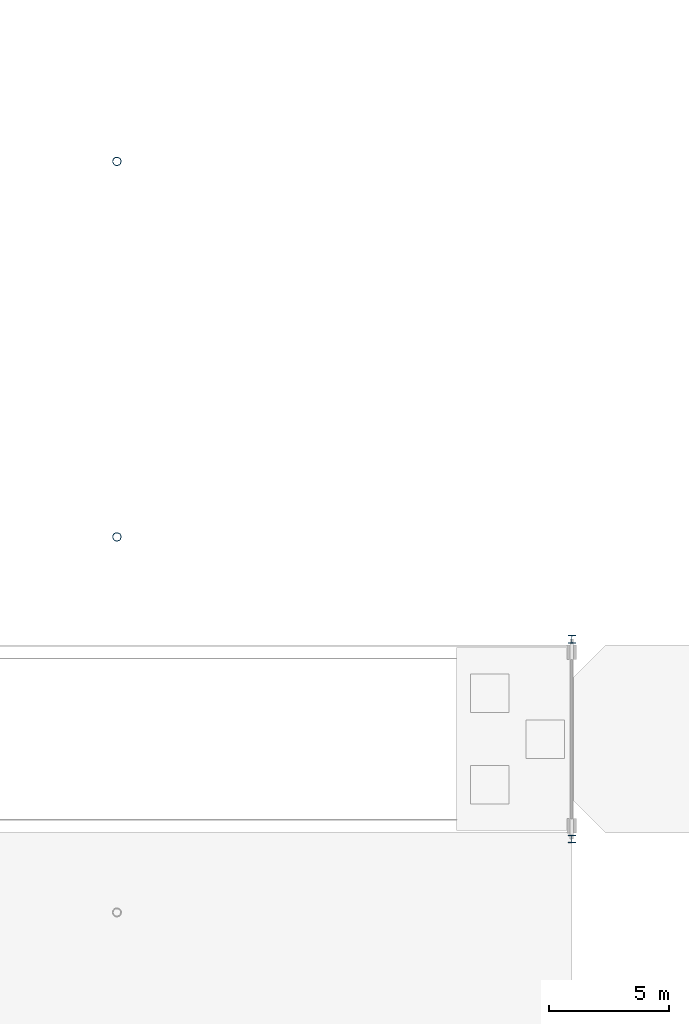
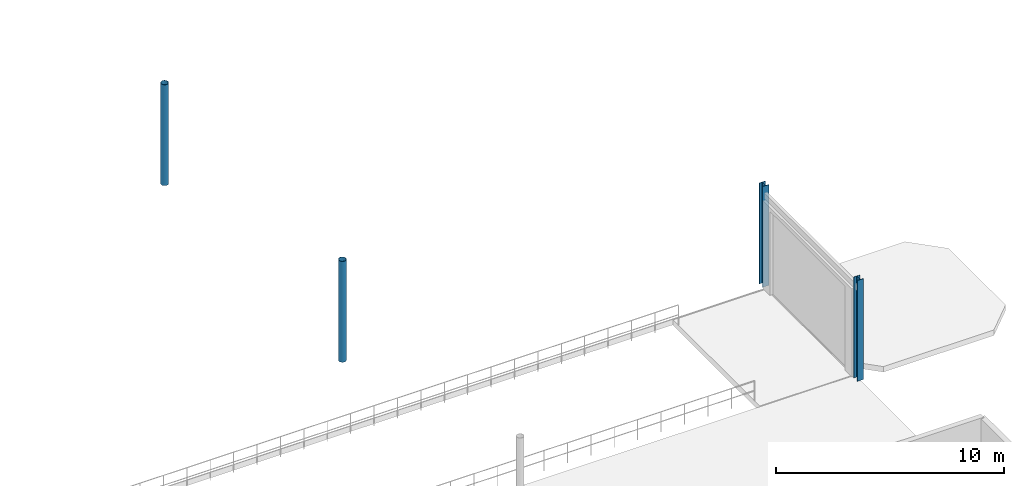
# One storey, part 11 of 87: 4 columns.
"""IFC4 building model written with IfcOpenShell, lengths in metres."""

import ifcopenshell
import ifcopenshell.guid

model = None  # the IFC model being written
_history = None  # IfcOwnerHistory: only IFC2X3 demands one
_inside = {}  # id of a spatial element -> (the spatial element, [elements in it])
_under = {}  # id of a project, library or spatial element -> (it, [spatial elements below it])
_declared = {}  # id of a project -> (the project, [libraries it declares])
_typed = {}  # id of a type object -> (the type object, [elements of that type])
_made_of = {}  # id of a material, layer set ... -> (it, [elements and type objects made of it])


def new_model(schema):
    """Start an empty IFC model of exactly this schema.

    Asked for "IFC4X3", IfcOpenShell would pick the latest addendum, in which some entities
    have other attributes; the version numbers below select the first issue.
    IFC2X3 requires an IfcOwnerHistory on every rooted entity: one is made here for all.
    """
    global model, _history
    if schema == "IFC4X3":
        model = ifcopenshell.file(schema_version=(4, 3, 0, 0))
    else:
        model = ifcopenshell.file(schema=schema)
    _inside.clear()
    _under.clear()
    _declared.clear()
    _typed.clear()
    _made_of.clear()
    _history = None
    if model.schema == "IFC2X3":
        org = make("IfcOrganization", Name="unknown")
        user = make(
            "IfcPersonAndOrganization",
            ThePerson=make("IfcPerson", FamilyName="unknown"),
            TheOrganization=org,
        )
        app = make(
            "IfcApplication",
            ApplicationDeveloper=org,
            Version="unknown",
            ApplicationFullName="unknown",
            ApplicationIdentifier="unknown",
        )
        _history = make(
            "IfcOwnerHistory",
            OwningUser=user,
            OwningApplication=app,
            ChangeAction="ADDED",
            CreationDate=0,
        )
    return model


def make(cls, **values):
    """One entity of the class cls with the attributes given. An attribute that is None is left unset."""
    return model.create_entity(
        cls, **{name: value for name, value in values.items() if value is not None}
    )


def rooted(cls, **values):
    """An entity with a GlobalId (a new one), such as an element, a storey or a relation."""
    return make(cls, GlobalId=ifcopenshell.guid.new(), OwnerHistory=_history, **values)


def si_unit(unit_type, name, prefix=None):
    """IfcSIUnit, for example si_unit("LENGTHUNIT", "METRE", prefix="MILLI")."""
    return make("IfcSIUnit", UnitType=unit_type, Prefix=prefix, Name=name)


def assignment(units):
    """IfcUnitAssignment: the units of a project."""
    return None if units is None else make("IfcUnitAssignment", Units=units)


def point(xyz):
    """IfcCartesianPoint."""
    return None if xyz is None else make("IfcCartesianPoint", Coordinates=xyz)


def direction(xyz):
    """IfcDirection."""
    return None if xyz is None else make("IfcDirection", DirectionRatios=xyz)


def frame(location, z_axis=None, x_axis=None):
    """IfcAxis2Placement3D, a coordinate frame: its origin and axes. An axis left out is left unset."""
    return make(
        "IfcAxis2Placement3D",
        Location=point(location),
        Axis=direction(z_axis),
        RefDirection=direction(x_axis),
    )


def frame_2d(location, x_axis=None):
    """IfcAxis2Placement2D, a coordinate frame in the plane: its origin and x axis."""
    return make(
        "IfcAxis2Placement2D", Location=point(location), RefDirection=direction(x_axis)
    )


def origin():
    """The frame at (0, 0, 0) with its axes left unset."""
    return frame((0.0, 0.0, 0.0))


def origin_2d():
    """The frame at (0, 0) in the plane with its x axis left unset."""
    return frame_2d((0.0, 0.0))


def place(relative_to, where):
    """IfcLocalPlacement: puts the frame where relative to a parent placement (None: the world)."""
    return make(
        "IfcLocalPlacement", PlacementRelTo=relative_to, RelativePlacement=where
    )


def context(
    kind, dimensions, precision=None, world=None, true_north=None, identifier=None
):
    """IfcGeometricRepresentationContext, for example the 3D "Model" context."""
    return make(
        "IfcGeometricRepresentationContext",
        ContextIdentifier=identifier,
        ContextType=kind,
        CoordinateSpaceDimension=dimensions,
        Precision=precision,
        WorldCoordinateSystem=world,
        TrueNorth=true_north,
    )


def subcontext(parent, identifier, kind, view, scale=None):
    """IfcGeometricRepresentationSubContext, for example "Body" below "Model"."""
    return make(
        "IfcGeometricRepresentationSubContext",
        ContextIdentifier=identifier,
        ContextType=kind,
        ParentContext=parent,
        TargetScale=scale,
        TargetView=view,
    )


def project(units=None, contexts=None):
    """IfcProject with its units and contexts."""
    return rooted(
        "IfcProject",
        Name="project",
        RepresentationContexts=contexts,
        UnitsInContext=assignment(units),
    )


def spatial(cls, under=None, at=None, **own):
    """A site, building, storey or space (cls), placed at a placement, below another one or the project."""
    s = rooted(cls, ObjectPlacement=at, **own)
    if under is not None:
        _under.setdefault(under.id(), (under, []))[1].append(s)
    return s


def profile(cls, at=None, kind="AREA", **sizes):
    """A parametric profile (cls). Its sizes go by their IFC names, for example OverallWidth=200.0."""
    return make(cls, ProfileType=kind, Position=at, **sizes)


def hollow_circle(**sizes):
    """IfcCircleHollowProfileDef."""
    return profile("IfcCircleHollowProfileDef", **sizes)


def i_section(**sizes):
    """IfcIShapeProfileDef."""
    return profile("IfcIShapeProfileDef", **sizes)


def extrude(swept, where, along, depth):
    """IfcExtrudedAreaSolid: the profile swept, set in the frame where, extruded along a direction by depth."""
    return make(
        "IfcExtrudedAreaSolid",
        SweptArea=swept,
        Position=where,
        ExtrudedDirection=direction(along),
        Depth=depth,
    )


def shape(context_of_items, identifier, shape_type, items):
    """IfcShapeRepresentation: the items that make up one representation, for example the "Body"."""
    return make(
        "IfcShapeRepresentation",
        ContextOfItems=context_of_items,
        RepresentationIdentifier=identifier,
        RepresentationType=shape_type,
        Items=items,
    )


def material(Name=None, Category=None):
    """IfcMaterial."""
    return make("IfcMaterial", Name=Name, Category=Category)


def material_profile(
    of_material, cross_section, Name=None, Category=None, Priority=None
):
    """IfcMaterialProfile: a cross section and its material."""
    return make(
        "IfcMaterialProfile",
        Name=Name,
        Material=of_material,
        Profile=cross_section,
        Priority=Priority,
        Category=Category,
    )


def profile_set(profiles, Name=None, composite=None):
    """IfcMaterialProfileSet."""
    return make(
        "IfcMaterialProfileSet",
        Name=Name,
        MaterialProfiles=profiles,
        CompositeProfile=composite,
    )


def made_of(thing, what):
    """Note that an element or type object is made of a material, layer set ...; save() writes the relation."""
    if what is not None:
        _made_of.setdefault(what.id(), (what, []))[1].append(thing)
    return thing


def type_object(cls, material=None, **own):
    """A type object (cls), such as IfcWallType, which elements share."""
    return made_of(rooted(cls, **own), material)


def element(
    cls,
    number,
    at=None,
    inside=None,
    cuts=None,
    type_object=None,
    material=None,
    context=None,
    identifier="Body",
    shape_type=None,
    held_by="IfcProductDefinitionShape",
    body=None,
    shapes=None,
    **own,
):
    """One element of the class cls, such as IfcWall. Its Tag is "e" and its number.

    at: its placement. inside: the storey or other place that contains it. cuts: it is an
    opening in that element (IfcRelVoidsElement). A single representation is given by context,
    identifier, shape_type and body (its items); several are given by shapes. held_by: the class
    of the entity that holds the representations. save() writes the other relations.
    """
    e = rooted(cls, Tag="e%d" % number, ObjectPlacement=at, **own)
    if body is not None:
        shapes = [shape(context, identifier, shape_type, body)]
    if shapes is not None:
        e.Representation = make(held_by, Representations=shapes)
    if inside is not None:
        _inside.setdefault(inside.id(), (inside, []))[1].append(e)
    if cuts is not None:
        rooted(
            "IfcRelVoidsElement", RelatingBuildingElement=cuts, RelatedOpeningElement=e
        )
    if type_object is not None:
        _typed.setdefault(type_object.id(), (type_object, []))[1].append(e)
    return made_of(e, material)


def aggregate(whole, parts):
    """IfcRelAggregates: a whole, such as a stair, and the parts it consists of."""
    return rooted("IfcRelAggregates", RelatingObject=whole, RelatedObjects=parts)


def save(model, path):
    """Write the relations noted so far, then the file.

    IfcRelAggregates (storeys below a building ...), IfcRelContainedInSpatialStructure (elements
    in a storey), IfcRelDefinesByType, IfcRelAssociatesMaterial and IfcRelDeclares: one each for
    every whole, place, type object, material and project.
    """
    for whole, parts in _under.values():
        aggregate(whole, parts)
    for where, things in _inside.values():
        rooted(
            "IfcRelContainedInSpatialStructure",
            RelatedElements=things,
            RelatingStructure=where,
        )
    for kind, things in _typed.values():
        rooted("IfcRelDefinesByType", RelatedObjects=things, RelatingType=kind)
    for what, things in _made_of.values():
        rooted("IfcRelAssociatesMaterial", RelatedObjects=things, RelatingMaterial=what)
    for by, libraries in _declared.values():
        rooted("IfcRelDeclares", RelatingContext=by, RelatedDefinitions=libraries)
    model.write(path)


model = new_model("IFC4")

# Units and contexts
model_context = context("Model", 3, precision=1e-05, world=origin(), true_north=direction((0.0, 1.0)))
body_context = subcontext(model_context, "Body", "Model", "MODEL_VIEW")
ifc_project = project(units=[si_unit("LENGTHUNIT", "METRE"), si_unit("AREAUNIT", "SQUARE_METRE"), si_unit("VOLUMEUNIT", "CUBIC_METRE"), si_unit("PLANEANGLEUNIT", "RADIAN"), si_unit("MASSUNIT", "GRAM", prefix="KILO")], contexts=[model_context])

# Site, building, storey
site_placement = place(None, origin())
site = spatial("IfcSite", under=ifc_project, at=site_placement, CompositionType="ELEMENT")
building_placement = place(site_placement, origin())
building = spatial("IfcBuilding", under=site, at=building_placement, Name="Selat Folded Stagehouse", CompositionType="ELEMENT")
storey_placement = place(building_placement, origin())
storey = spatial("IfcBuildingStorey", under=building, at=storey_placement, Name="L00", CompositionType="ELEMENT", Elevation=0.0)

# Columns
ifc_material = material(Name="Steel S355", Category="steel")
ifc_material_profile_1 = material_profile(ifc_material, hollow_circle(Radius=0.177734375, WallThickness=0.01611328125, at=origin_2d()), Name="CHS 355.6x16.0")
ifc_profile_set_1 = profile_set([ifc_material_profile_1], Name="Steel S355")
column_type_1 = type_object("IfcColumnType", Name="COL-CHS-355x16", PredefinedType="COLUMN", material=ifc_profile_set_1)
for number, where, z_axis, x_axis, name in (
    (1, (98.699951171875, 46.800048828125, 0.0), (0.0, 0.0, 1.0), (1.0, 0.0, 0.0), "L00 column STK-BR2-468"),
    (2, (98.699951171875, 62.39990234375, 0.0), (0.0, 0.0, 1.0), (1.0, 0.0, 0.0), "L00 column STK-BR2-624"),
):
    element("IfcColumn", number, at=place(storey_placement, frame(where, z_axis=z_axis, x_axis=x_axis)), inside=storey, type_object=column_type_1, Name=name, PredefinedType="COLUMN", context=body_context, shape_type="SweptSolid", body=[
        extrude(hollow_circle(Radius=0.177734375, WallThickness=0.01611328125, at=origin_2d()), origin(), (0.0, 0.0, 1.0), 5.39990234375),
    ])
ifc_material_profile_2 = material_profile(ifc_material, i_section(OverallWidth=0.30908203125, OverallDepth=0.320556640625, WebThickness=0.013916015625, FlangeThickness=0.021728515625, FilletRadius=0.01513671875, at=origin_2d()), Name="UKC 305x305x137")
ifc_profile_set_2 = profile_set([ifc_material_profile_2], Name="Steel S355")
column_type_2 = type_object("IfcColumnType", Name="COL-UKC-305x305x137", PredefinedType="COLUMN", material=ifc_profile_set_2)
for number, where, z_axis, x_axis, name in (
    (3, (117.60009765625, 34.25, 0.0), (0.0, 0.0, 1.0), (1.0, 0.0, 0.0), "L00 column STK-RMPJMB-S"),
    (4, (117.60009765625, 42.550048828125, 0.0), (0.0, 0.0, 1.0), (1.0, 0.0, 0.0), "L00 column STK-RMPJMB-N"),
):
    element("IfcColumn", number, at=place(storey_placement, frame(where, z_axis=z_axis, x_axis=x_axis)), inside=storey, type_object=column_type_2, Name=name, PredefinedType="COLUMN", context=body_context, shape_type="SweptSolid", body=[
        extrude(i_section(OverallWidth=0.30908203125, OverallDepth=0.320556640625, WebThickness=0.013916015625, FlangeThickness=0.021728515625, FilletRadius=0.01513671875, at=origin_2d()), origin(), (0.0, 0.0, 1.0), 5.39990234375),
    ])

save(model, "model.ifc")
